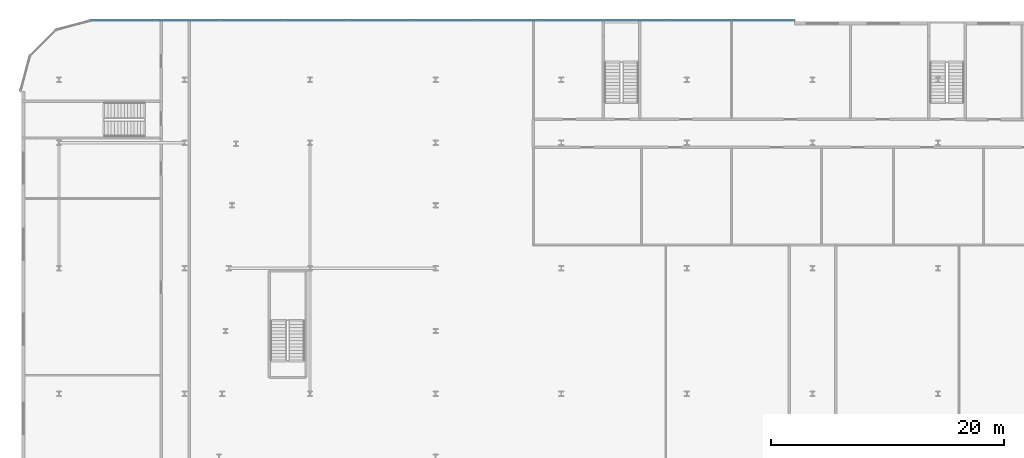
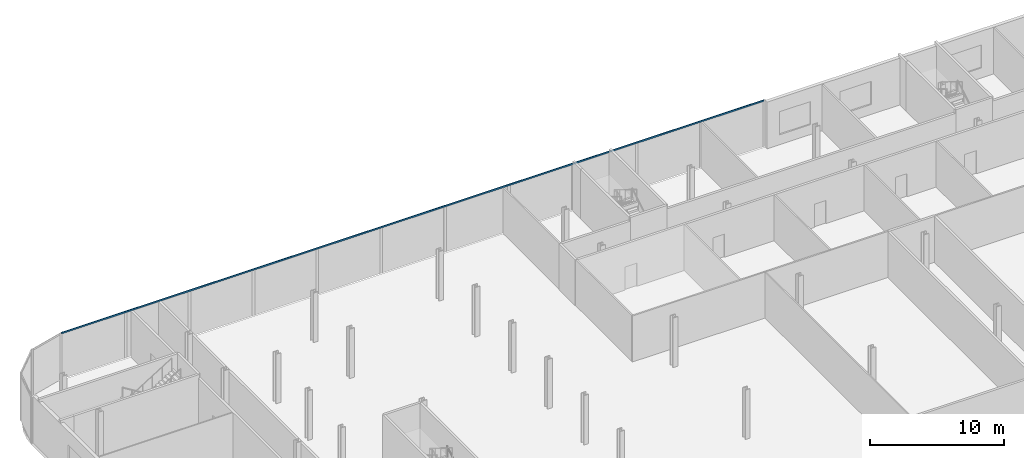
# One storey, part 17 of 47: 1 member, 1 element without a shape of its own.
"""IFC4 building model written with IfcOpenShell, lengths in metres."""

from ifc_helpers import new_model, si_unit, direction, frame, origin, origin_2d, place, context, subcontext, project, spatial, rectangle, extrude, material, layer, layer_set, material_profile, profile_set, type_object, element, aggregate, save


model = new_model("IFC4")

# Units and contexts
model_context = context("Model", 3, precision=1e-05, world=origin(), true_north=direction((0.0, 1.0)))
body_context = subcontext(model_context, "Body", "Model", "MODEL_VIEW")
ifc_project = project(units=[si_unit("LENGTHUNIT", "METRE"), si_unit("AREAUNIT", "SQUARE_METRE"), si_unit("VOLUMEUNIT", "CUBIC_METRE"), si_unit("PLANEANGLEUNIT", "RADIAN"), si_unit("MASSUNIT", "GRAM", prefix="KILO")], contexts=[model_context])

# Site, building, storey
site_placement = place(None, origin())
site = spatial("IfcSite", under=ifc_project, at=site_placement, CompositionType="ELEMENT")
building_placement = place(site_placement, origin())
building = spatial("IfcBuilding", under=site, at=building_placement, Name="Kheshtan School and Residences Tower", CompositionType="ELEMENT")
storey_placement = place(building_placement, frame((0.0, 0.0, 21.5)))
storey = spatial("IfcBuildingStorey", under=building, at=storey_placement, Name="L04", CompositionType="ELEMENT", Elevation=21.5)

# Curtain wall, member
ifc_material_1 = material(Name="Clear low-e glass in thermally broken aluminium frame", Category="aluminium")
ifc_layer = layer(ifc_material_1, 0.22509765625)
ifc_layer_set = layer_set([ifc_layer], Name="Curtain wall CW-P")
curtain_wall_type = type_object("IfcCurtainWallType", Name="Curtain wall CW-P", PredefinedType="NOTDEFINED", material=ifc_layer_set)
curtain_wall_placement = place(storey_placement, origin())
curtain_wall = element("IfcCurtainWall", 1, at=curtain_wall_placement, inside=storey, type_object=curtain_wall_type, Name="Curtain wall CWP4a", PredefinedType="NOTDEFINED")
ifc_material_2 = material(Name="Thermally broken aluminium, dark bronze anodised", Category="aluminium")
ifc_material_profile = material_profile(ifc_material_2, rectangle(XDim=0.06005859375, YDim=0.139892578125, at=origin_2d()), Name="CW-P transom 60x140")
ifc_profile_set = profile_set([ifc_material_profile], Name="Thermally broken aluminium, dark bronze anodised")
member_type = type_object("IfcMemberType", Name="CW-P transom 60x140", PredefinedType="USERDEFINED", material=ifc_profile_set)
member_placement = place(storey_placement, frame((17.97509765625, 110.10009765625, 4.179931640625), z_axis=(1.0, 0.0, 0.0), x_axis=(0.0, 1.0, 0.0)))
member = element("IfcMember", 2, at=member_placement, type_object=member_type, Name="CWP4a transom 1", ObjectType="TRANSOM", PredefinedType="USERDEFINED", context=body_context, shape_type="SweptSolid", body=[
    extrude(rectangle(XDim=0.06005859375, YDim=0.139892578125, at=origin_2d()), origin(), (0.0, 0.0, 1.0), 60.44482421875),
])
aggregate(curtain_wall, [member])

save(model, "model.ifc")
